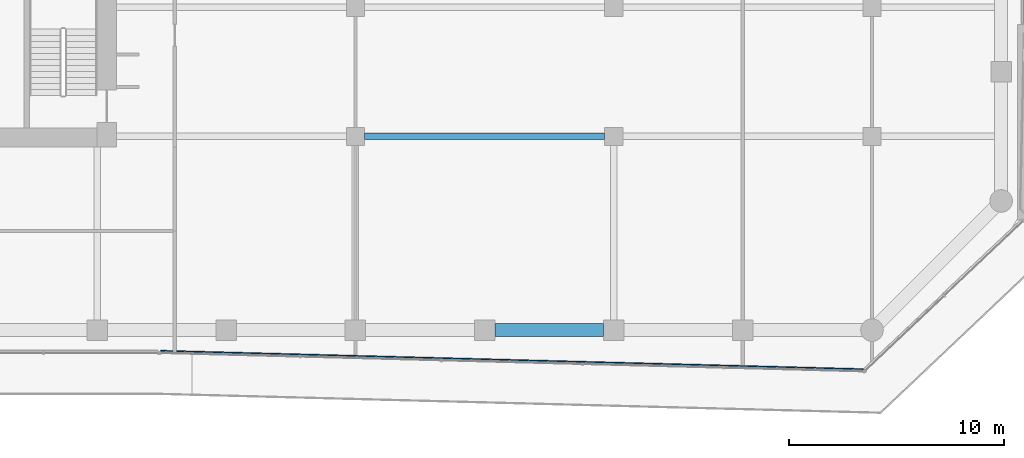
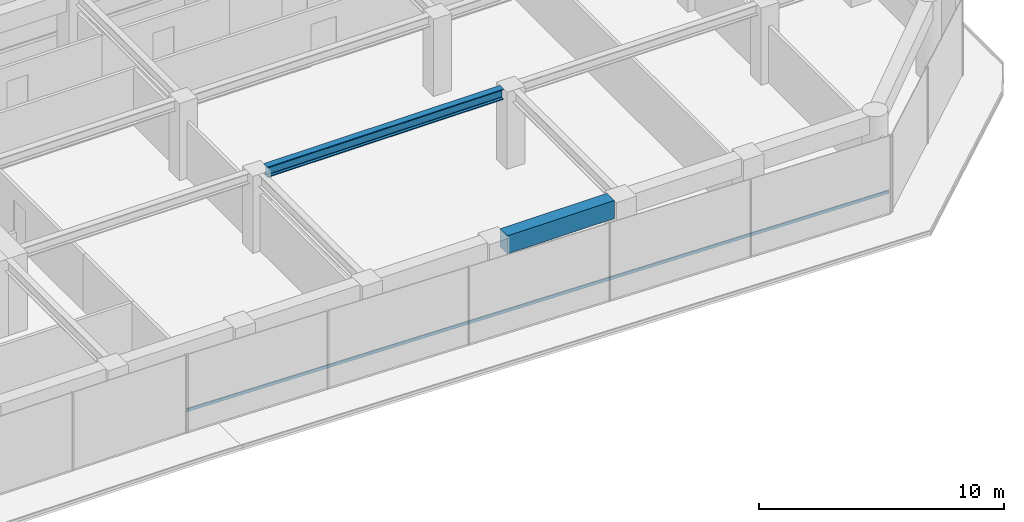
# One storey, part 8 of 28: 2 beams, 1 member, 1 element without a shape of its own.
"""IFC4 building model written with IfcOpenShell, lengths in metres."""

from ifc_helpers import new_model, si_unit, direction, frame, origin, origin_2d, place, context, subcontext, project, spatial, rectangle, i_section, extrude, material, layer, layer_set, material_profile, profile_set, type_object, element, aggregate, save


model = new_model("IFC4")

# Units and contexts
model_context = context("Model", 3, precision=1e-05, world=origin(), true_north=direction((0.0, 1.0)))
body_context = subcontext(model_context, "Body", "Model", "MODEL_VIEW")
ifc_project = project(units=[si_unit("LENGTHUNIT", "METRE"), si_unit("AREAUNIT", "SQUARE_METRE"), si_unit("VOLUMEUNIT", "CUBIC_METRE"), si_unit("PLANEANGLEUNIT", "RADIAN"), si_unit("MASSUNIT", "GRAM", prefix="KILO")], contexts=[model_context])

# Site, building, storey
site_placement = place(None, origin())
site = spatial("IfcSite", under=ifc_project, at=site_placement, CompositionType="ELEMENT")
building_placement = place(site_placement, origin())
building = spatial("IfcBuilding", under=site, at=building_placement, Name="Welwitschia Terrace Campus", CompositionType="ELEMENT")
storey_placement = place(building_placement, frame((0.0, 0.0, 45.800048828125)))
storey = spatial("IfcBuildingStorey", under=building, at=storey_placement, Name="L10", CompositionType="ELEMENT", Elevation=45.800048828125)

# Beams
ifc_material_1 = material(Name="Steel S355", Category="steel")
ifc_material_profile_1 = material_profile(ifc_material_1, i_section(OverallWidth=0.305908203125, OverallDepth=0.52392578125, WebThickness=0.02099609375, FlangeThickness=0.0400390625, FilletRadius=0.027099609375, at=origin_2d()))
ifc_profile_set_1 = profile_set([ifc_material_profile_1], Name="Steel S355")
beam_type_1 = type_object("IfcBeamType", Name="Interior girder HE 500 M", PredefinedType="BEAM", material=ifc_profile_set_1)
beam_1_placement = place(storey_placement, frame((36.425537109375, 5.0, 3.587890625), z_axis=(1.0, 0.0, 0.0), x_axis=(0.0, 1.0, 0.0)))
element("IfcBeam", 1, at=beam_1_placement, inside=storey, type_object=beam_type_1, Name="Girder GB2", PredefinedType="BEAM", context=body_context, shape_type="SweptSolid", body=[
    extrude(i_section(OverallWidth=0.305908203125, OverallDepth=0.52392578125, WebThickness=0.02099609375, FlangeThickness=0.0400390625, FilletRadius=0.027099609375, at=origin_2d()), origin(), (0.0, 0.0, 1.0), 11.14892578125),
])
ifc_material_2 = material(Name="Concrete C60/75", Category="concrete")
ifc_material_profile_2 = material_profile(ifc_material_2, rectangle(XDim=0.60009765625, YDim=0.89990234375, at=origin_2d()))
ifc_profile_set_2 = profile_set([ifc_material_profile_2], Name="Concrete C60/75")
beam_type_2 = type_object("IfcBeamType", Name="Ring spandrel 600x900", PredefinedType="SPANDREL", material=ifc_profile_set_2)
beam_2_placement = place(storey_placement, frame((42.4755859375, -4.0, 3.39990234375), z_axis=(1.0, 0.0, 0.0), x_axis=(0.0, 1.0, 0.0)))
element("IfcBeam", 2, at=beam_2_placement, inside=storey, type_object=beam_type_2, Name="Spandrel SP2", PredefinedType="SPANDREL", context=body_context, shape_type="SweptSolid", body=[
    extrude(rectangle(XDim=0.60009765625, YDim=0.89990234375, at=origin_2d()), origin(), (0.0, 0.0, 1.0), 5.048828125),
])

# Curtain wall, member
ifc_material_3 = material(Name="Bronze anodised aluminium", Category="aluminium")
ifc_layer = layer(ifc_material_3, 0.1201171875)
ifc_layer_set = layer_set([ifc_layer], Name="Bronze anodised aluminium")
curtain_wall_type = type_object("IfcCurtainWallType", Name="Curtain wall CW2 tower 6000", PredefinedType="NOTDEFINED", material=ifc_layer_set)
curtain_wall_placement = place(storey_placement, origin())
curtain_wall = element("IfcCurtainWall", 3, at=curtain_wall_placement, inside=storey, type_object=curtain_wall_type, Name="CW L10.2.0", PredefinedType="NOTDEFINED")
ifc_material_4 = material(Name="Bronze anodised aluminium", Category="aluminium")
ifc_material_profile_3 = material_profile(ifc_material_4, rectangle(XDim=0.06005859375, YDim=0.14990234375, at=origin_2d()))
ifc_profile_set_3 = profile_set([ifc_material_profile_3], Name="Bronze anodised aluminium")
member_type = type_object("IfcMemberType", Name="Transom 60x150", PredefinedType="USERDEFINED", material=ifc_profile_set_3)
member_placement = place(storey_placement, frame((26.94677734375, -4.969482421875, 1.0), z_axis=(0.99965721141, -0.026181284852, 0.0), x_axis=(0.026181284852, 0.99965721141, 0.0)))
member = element("IfcMember", 4, at=member_placement, type_object=member_type, Name="Transom L10.2.0", ObjectType="TRANSOM", PredefinedType="USERDEFINED", context=body_context, shape_type="SweptSolid", body=[
    extrude(rectangle(XDim=0.06005859375, YDim=0.14990234375, at=origin_2d()), origin(), (0.0, 0.0, 1.0), 32.66552734375),
])
aggregate(curtain_wall, [member])

save(model, "model.ifc")
